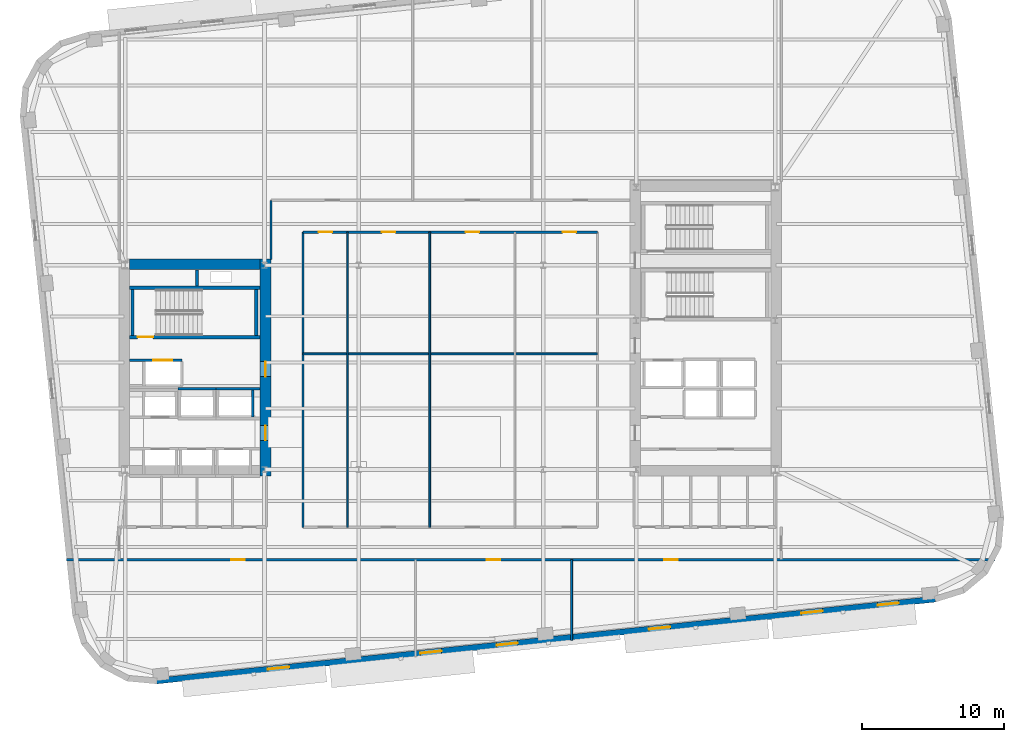
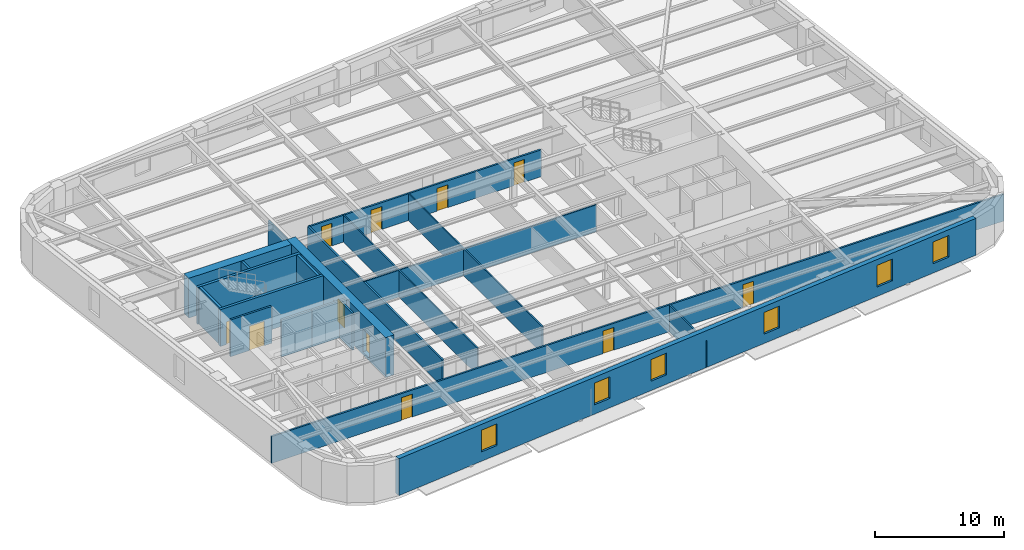
# One storey, part 5 of 12: 20 walls, 11 doors, 6 windows, 17 openings.
"""IFC4 building model written with IfcOpenShell, lengths in metres."""

from ifc_helpers import new_model, si_unit, direction, frame, frame_2d, origin, place, context, subcontext, project, spatial, rectangle, extrude, material, layer, layer_set, type_object, element, fill, save


model = new_model("IFC4")

# Units and contexts
model_context = context("Model", 3, precision=1e-05, world=origin(), true_north=direction((0.0, 1.0)))
body_context = subcontext(model_context, "Body", "Model", "MODEL_VIEW")
ifc_project = project(units=[si_unit("LENGTHUNIT", "METRE"), si_unit("AREAUNIT", "SQUARE_METRE"), si_unit("VOLUMEUNIT", "CUBIC_METRE"), si_unit("PLANEANGLEUNIT", "RADIAN"), si_unit("MASSUNIT", "GRAM", prefix="KILO")], contexts=[model_context])

# Site, building, storey
site_placement = place(None, origin())
site = spatial("IfcSite", under=ifc_project, at=site_placement, CompositionType="ELEMENT")
building_placement = place(site_placement, origin())
building = spatial("IfcBuilding", under=site, at=building_placement, Name="Kolvaren Arena Tower", CompositionType="ELEMENT")
storey_placement = place(building_placement, frame((0.0, 0.0, 138.25)))
storey = spatial("IfcBuildingStorey", under=building, at=storey_placement, Name="L32", CompositionType="ELEMENT", Elevation=138.25)

# Wall, openings, doors
ifc_material_1 = material(Name="Gypsum board acoustic assembly", Category="gypsum")
ifc_layer_1 = layer(ifc_material_1, 0.159912109375)
ifc_layer_set_1 = layer_set([ifc_layer_1], Name="Gypsum board acoustic assembly")
wall_type_1 = type_object("IfcWallType", Name="CORR-160", PredefinedType="PARTITIONING", material=ifc_layer_set_1)
wall_1_placement = place(storey_placement, frame((10.41552734375, 13.10009765625, 0.0), z_axis=(0.0, 0.0, 1.0), x_axis=(1.0, 0.0, 0.0)))
wall_1 = element("IfcWall", 1, at=wall_1_placement, inside=storey, type_object=wall_type_1, Name="Interior Partition Wall (L32)", PredefinedType="PARTITIONING", context=body_context, shape_type="SweptSolid", body=[
    extrude(rectangle(XDim=65.414794921875, YDim=0.159912109375, at=frame_2d((32.70751953125, 0.0))), origin(), (0.0, 0.0, 1.0), 2.5400390625),
])
opening_1_placement = place(wall_1_placement, frame((11.609619140625, 0.0, 0.0)))
opening_1 = element("IfcOpeningElement", 2, at=opening_1_placement, cuts=wall_1, Name="Opening D05", PredefinedType="OPENING", context=body_context, shape_type="SweptSolid", body=[
    extrude(rectangle(XDim=0.949951171875, YDim=2.14990234375, at=frame_2d((0.47509765625, 1.074951171875))), frame((0.0, 0.08984375, 0.0), z_axis=(0.0, -1.0, 0.0), x_axis=(1.0, 0.0, 0.0)), (0.0, 0.0, 1.0), 0.179931640625),
])
opening_2_placement = place(wall_1_placement, frame((29.609619140625, 0.0, 0.0)))
opening_2 = element("IfcOpeningElement", 3, at=opening_2_placement, cuts=wall_1, Name="Opening D05", PredefinedType="OPENING", context=body_context, shape_type="SweptSolid", body=[
    extrude(rectangle(XDim=0.949951171875, YDim=2.14990234375, at=frame_2d((0.47509765625, 1.074951171875))), frame((0.0, 0.08984375, 0.0), z_axis=(0.0, -1.0, 0.0), x_axis=(1.0, 0.0, 0.0)), (0.0, 0.0, 1.0), 0.179931640625),
])
opening_3_placement = place(wall_1_placement, frame((42.109619140625, 0.0, 0.0)))
opening_3 = element("IfcOpeningElement", 4, at=opening_3_placement, cuts=wall_1, Name="Opening D05", PredefinedType="OPENING", context=body_context, shape_type="SweptSolid", body=[
    extrude(rectangle(XDim=0.949951171875, YDim=2.14990234375, at=frame_2d((0.47509765625, 1.074951171875))), frame((0.0, 0.08984375, 0.0), z_axis=(0.0, -1.0, 0.0), x_axis=(1.0, 0.0, 0.0)), (0.0, 0.0, 1.0), 0.179931640625),
])
ifc_material_2 = material(Name="Solid-core oak acoustic office door", Category="wood")
door_type_1 = type_object("IfcDoorType", Name="DOOR-OF-095", OperationType="NOTDEFINED", PredefinedType="DOOR", material=ifc_material_2)
door_1_placement = place(opening_1_placement, origin())
door_1 = element("IfcDoor", 5, at=door_1_placement, inside=storey, type_object=door_type_1, Name="Open Plan Office Door (L32)", OperationType="SINGLE_SWING_RIGHT", OverallHeight=2.14990234375, OverallWidth=0.949951171875, PredefinedType="DOOR", context=body_context, shape_type="SweptSolid", body=[
    extrude(rectangle(XDim=0.949951171875, YDim=2.14990234375, at=frame_2d((0.47509765625, 1.074951171875))), frame((0.0, 0.02490234375, 0.0), z_axis=(0.0, -1.0, 0.0), x_axis=(1.0, 0.0, 0.0)), (0.0, 0.0, 1.0), 0.050048828125),
])
fill(opening_1, door_1)
door_2_placement = place(opening_2_placement, origin())
door_2 = element("IfcDoor", 6, at=door_2_placement, inside=storey, type_object=door_type_1, Name="Tenant Reception Area Door (L32)", OperationType="SINGLE_SWING_LEFT", OverallHeight=2.14990234375, OverallWidth=0.949951171875, PredefinedType="DOOR", context=body_context, shape_type="SweptSolid", body=[
    extrude(rectangle(XDim=0.949951171875, YDim=2.14990234375, at=frame_2d((0.47509765625, 1.074951171875))), frame((0.0, 0.02490234375, 0.0), z_axis=(0.0, -1.0, 0.0), x_axis=(1.0, 0.0, 0.0)), (0.0, 0.0, 1.0), 0.050048828125),
])
fill(opening_2, door_2)
door_3_placement = place(opening_3_placement, origin())
door_3 = element("IfcDoor", 7, at=door_3_placement, inside=storey, type_object=door_type_1, Name="Open Plan Office Door (L32)", OperationType="SINGLE_SWING_RIGHT", OverallHeight=2.14990234375, OverallWidth=0.949951171875, PredefinedType="DOOR", context=body_context, shape_type="SweptSolid", body=[
    extrude(rectangle(XDim=0.949951171875, YDim=2.14990234375, at=frame_2d((0.47509765625, 1.074951171875))), frame((0.0, 0.02490234375, 0.0), z_axis=(0.0, -1.0, 0.0), x_axis=(1.0, 0.0, 0.0)), (0.0, 0.0, 1.0), 0.050048828125),
])
fill(opening_3, door_3)

# Wall
wall_2_placement = place(storey_placement, frame((24.820068359375, 34.25, 0.0), z_axis=(0.0, 0.0, 1.0), x_axis=(0.0, 1.0, 0.0)))
element("IfcWall", 8, at=wall_2_placement, inside=storey, type_object=wall_type_1, Name="Interior Partition Wall (L32)", PredefinedType="PARTITIONING", context=body_context, shape_type="SweptSolid", body=[
    extrude(rectangle(XDim=4.169921875, YDim=0.159912109375, at=frame_2d((2.0849609375, 0.0))), origin(), (0.0, 0.0, 1.0), 2.5400390625),
])

# Wall, openings, doors
wall_3_placement = place(storey_placement, frame((27.080078125, 36.179931640625, 0.0), z_axis=(0.0, 0.0, 1.0), x_axis=(1.0, 0.0, 0.0)))
wall_3 = element("IfcWall", 9, at=wall_3_placement, inside=storey, type_object=wall_type_1, Name="Interior Partition Wall (L32)", PredefinedType="PARTITIONING", context=body_context, shape_type="SweptSolid", body=[
    extrude(rectangle(XDim=20.739990234375, YDim=0.159912109375, at=frame_2d((10.3701171875, 0.0))), origin(), (0.0, 0.0, 1.0), 2.5400390625),
])
opening_4_placement = place(wall_3_placement, frame((1.094970703125, 0.0, 0.0)))
opening_4 = element("IfcOpeningElement", 10, at=opening_4_placement, cuts=wall_3, Name="Opening D05", PredefinedType="OPENING", context=body_context, shape_type="SweptSolid", body=[
    extrude(rectangle(XDim=0.949951171875, YDim=2.14990234375, at=frame_2d((0.47509765625, 1.074951171875))), frame((0.0, 0.08984375, 0.0), z_axis=(0.0, -1.0, 0.0), x_axis=(1.0, 0.0, 0.0)), (0.0, 0.0, 1.0), 0.179931640625),
])
opening_5_placement = place(wall_3_placement, frame((5.544921875, 0.0, 0.0)))
opening_5 = element("IfcOpeningElement", 11, at=opening_5_placement, cuts=wall_3, Name="Opening D05", PredefinedType="OPENING", context=body_context, shape_type="SweptSolid", body=[
    extrude(rectangle(XDim=0.949951171875, YDim=2.14990234375, at=frame_2d((0.47509765625, 1.074951171875))), frame((0.0, 0.08984375, 0.0), z_axis=(0.0, -1.0, 0.0), x_axis=(1.0, 0.0, 0.0)), (0.0, 0.0, 1.0), 0.179931640625),
])
opening_6_placement = place(wall_3_placement, frame((11.445068359375, 0.0, 0.0)))
opening_6 = element("IfcOpeningElement", 12, at=opening_6_placement, cuts=wall_3, Name="Opening D05", PredefinedType="OPENING", context=body_context, shape_type="SweptSolid", body=[
    extrude(rectangle(XDim=0.949951171875, YDim=2.14990234375, at=frame_2d((0.47509765625, 1.074951171875))), frame((0.0, 0.08984375, 0.0), z_axis=(0.0, -1.0, 0.0), x_axis=(1.0, 0.0, 0.0)), (0.0, 0.0, 1.0), 0.179931640625),
])
opening_7_placement = place(wall_3_placement, frame((18.294921875, 0.0, 0.0)))
opening_7 = element("IfcOpeningElement", 13, at=opening_7_placement, cuts=wall_3, Name="Opening D05", PredefinedType="OPENING", context=body_context, shape_type="SweptSolid", body=[
    extrude(rectangle(XDim=0.949951171875, YDim=2.14990234375, at=frame_2d((0.47509765625, 1.074951171875))), frame((0.0, 0.08984375, 0.0), z_axis=(0.0, -1.0, 0.0), x_axis=(1.0, 0.0, 0.0)), (0.0, 0.0, 1.0), 0.179931640625),
])
door_4_placement = place(opening_4_placement, origin())
door_4 = element("IfcDoor", 14, at=door_4_placement, inside=storey, type_object=door_type_1, Name="Client Lounge Door (L32)", OperationType="SINGLE_SWING_RIGHT", OverallHeight=2.14990234375, OverallWidth=0.949951171875, PredefinedType="DOOR", context=body_context, shape_type="SweptSolid", body=[
    extrude(rectangle(XDim=0.949951171875, YDim=2.14990234375, at=frame_2d((0.47509765625, 1.074951171875))), frame((0.0, 0.02490234375, 0.0), z_axis=(0.0, -1.0, 0.0), x_axis=(1.0, 0.0, 0.0)), (0.0, 0.0, 1.0), 0.050048828125),
])
fill(opening_4, door_4)
door_5_placement = place(opening_5_placement, origin())
door_5 = element("IfcDoor", 15, at=door_5_placement, inside=storey, type_object=door_type_1, Name="Client Lounge Door (L32)", OperationType="SINGLE_SWING_RIGHT", OverallHeight=2.14990234375, OverallWidth=0.949951171875, PredefinedType="DOOR", context=body_context, shape_type="SweptSolid", body=[
    extrude(rectangle(XDim=0.949951171875, YDim=2.14990234375, at=frame_2d((0.47509765625, 1.074951171875))), frame((0.0, 0.02490234375, 0.0), z_axis=(0.0, -1.0, 0.0), x_axis=(1.0, 0.0, 0.0)), (0.0, 0.0, 1.0), 0.050048828125),
])
fill(opening_5, door_5)
door_6_placement = place(opening_6_placement, origin())
door_6 = element("IfcDoor", 16, at=door_6_placement, inside=storey, type_object=door_type_1, Name="Boardroom Door (L32)", OperationType="SINGLE_SWING_RIGHT", OverallHeight=2.14990234375, OverallWidth=0.949951171875, PredefinedType="DOOR", context=body_context, shape_type="SweptSolid", body=[
    extrude(rectangle(XDim=0.949951171875, YDim=2.14990234375, at=frame_2d((0.47509765625, 1.074951171875))), frame((0.0, 0.02490234375, 0.0), z_axis=(0.0, -1.0, 0.0), x_axis=(1.0, 0.0, 0.0)), (0.0, 0.0, 1.0), 0.050048828125),
])
fill(opening_6, door_6)
door_7_placement = place(opening_7_placement, origin())
door_7 = element("IfcDoor", 17, at=door_7_placement, inside=storey, type_object=door_type_1, Name="Client Lounge Door (L32)", OperationType="SINGLE_SWING_RIGHT", OverallHeight=2.14990234375, OverallWidth=0.949951171875, PredefinedType="DOOR", context=body_context, shape_type="SweptSolid", body=[
    extrude(rectangle(XDim=0.949951171875, YDim=2.14990234375, at=frame_2d((0.47509765625, 1.074951171875))), frame((0.0, 0.02490234375, 0.0), z_axis=(0.0, -1.0, 0.0), x_axis=(1.0, 0.0, 0.0)), (0.0, 0.0, 1.0), 0.050048828125),
])
fill(opening_7, door_7)

# Wall
wall_4_placement = place(storey_placement, frame((27.080078125, 15.3798828125, 0.0), z_axis=(0.0, 0.0, 1.0), x_axis=(0.0, 1.0, 0.0)))
element("IfcWall", 18, at=wall_4_placement, inside=storey, type_object=wall_type_1, Name="Interior Partition Wall (L32)", PredefinedType="PARTITIONING", context=body_context, shape_type="SweptSolid", body=[
    extrude(rectangle(XDim=20.800048828125, YDim=0.159912109375, at=frame_2d((10.39990234375, 0.0))), origin(), (0.0, 0.0, 1.0), 2.5400390625),
])

# Wall, openings, doors
ifc_material_3 = material(Name="Concrete 70 MPa", Category="concrete")
ifc_layer_2 = layer(ifc_material_3, 0.75)
ifc_layer_set_2 = layer_set([ifc_layer_2], Name="Concrete 70 MPa")
wall_type_2 = type_object("IfcWallType", Name="CWALL-750", PredefinedType="SHEAR", material=ifc_layer_set_2)
wall_5_placement = place(storey_placement, frame((24.425048828125, 19.0, -0.27001953125), z_axis=(0.0, 0.0, 1.0), x_axis=(0.0, 1.0, 0.0)))
wall_5 = element("IfcWall", 19, at=wall_5_placement, inside=storey, type_object=wall_type_2, Name="Core Shear Wall WC-EAST (L32)", PredefinedType="SHEAR", context=body_context, shape_type="SweptSolid", body=[
    extrude(rectangle(XDim=15.300048828125, YDim=0.75, at=frame_2d((7.64990234375, 0.0))), origin(), (0.0, 0.0, 1.0), 3.75),
])
opening_8_placement = place(wall_5_placement, frame((2.5, 0.0, 0.27001953125)))
opening_8 = element("IfcOpeningElement", 20, at=opening_8_placement, cuts=wall_5, Name="Opening D04", PredefinedType="OPENING", context=body_context, shape_type="SweptSolid", body=[
    extrude(rectangle(XDim=1.050048828125, YDim=2.14990234375, at=frame_2d((0.52490234375, 1.074951171875))), frame((0.0, 0.385009765625, 0.0), z_axis=(0.0, -1.0, 0.0), x_axis=(1.0, 0.0, 0.0)), (0.0, 0.0, 1.0), 0.77001953125),
])
opening_9_placement = place(wall_5_placement, frame((7.0, 0.0, 0.27001953125)))
opening_9 = element("IfcOpeningElement", 21, at=opening_9_placement, cuts=wall_5, Name="Opening D04", PredefinedType="OPENING", context=body_context, shape_type="SweptSolid", body=[
    extrude(rectangle(XDim=1.050048828125, YDim=2.14990234375, at=frame_2d((0.52490234375, 1.074951171875))), frame((0.0, 0.385009765625, 0.0), z_axis=(0.0, -1.0, 0.0), x_axis=(1.0, 0.0, 0.0)), (0.0, 0.0, 1.0), 0.77001953125),
])
ifc_material_4 = material(Name="Fire-rated steel lobby door", Category="steel")
door_type_2 = type_object("IfcDoorType", Name="DOOR-FF-105", OperationType="NOTDEFINED", PredefinedType="DOOR", material=ifc_material_4)
door_8_placement = place(opening_8_placement, origin())
door_8 = element("IfcDoor", 22, at=door_8_placement, inside=storey, type_object=door_type_2, Name="West Lift Lobby Fire Door (L32)", OperationType="SINGLE_SWING_LEFT", OverallHeight=2.14990234375, OverallWidth=1.050048828125, PredefinedType="DOOR", context=body_context, shape_type="SweptSolid", body=[
    extrude(rectangle(XDim=1.050048828125, YDim=2.14990234375, at=frame_2d((0.52490234375, 1.074951171875))), frame((0.0, 0.02490234375, 0.0), z_axis=(0.0, -1.0, 0.0), x_axis=(1.0, 0.0, 0.0)), (0.0, 0.0, 1.0), 0.050048828125),
])
fill(opening_8, door_8)
door_9_placement = place(opening_9_placement, origin())
door_9 = element("IfcDoor", 23, at=door_9_placement, inside=storey, type_object=door_type_2, Name="West Firefighter Vestibule Door (L32)", OperationType="SINGLE_SWING_RIGHT", OverallHeight=2.14990234375, OverallWidth=1.050048828125, PredefinedType="DOOR", context=body_context, shape_type="SweptSolid", body=[
    extrude(rectangle(XDim=1.050048828125, YDim=2.14990234375, at=frame_2d((0.52490234375, 1.074951171875))), frame((0.0, 0.02490234375, 0.0), z_axis=(0.0, -1.0, 0.0), x_axis=(1.0, 0.0, 0.0)), (0.0, 0.0, 1.0), 0.050048828125),
])
fill(opening_9, door_9)

# Wall
wall_6_placement = place(storey_placement, frame((14.85009765625, 33.925048828125, -0.27001953125), z_axis=(0.0, 0.0, 1.0), x_axis=(1.0, 0.0, 0.0)))
element("IfcWall", 24, at=wall_6_placement, inside=storey, type_object=wall_type_2, Name="Core Shear Wall WC-NORTH (L32)", PredefinedType="SHEAR", context=body_context, shape_type="SweptSolid", body=[
    extrude(rectangle(XDim=9.199951171875, YDim=0.75, at=frame_2d((4.60009765625, 0.0))), origin(), (0.0, 0.0, 1.0), 3.75),
])

# Wall, openings, windows
ifc_material_5 = material(Name="Precast concrete C50/60", Category="concrete")
ifc_layer_3 = layer(ifc_material_5, 0.419921875)
ifc_layer_set_3 = layer_set([ifc_layer_3], Name="Precast concrete C50/60")
wall_type_3 = type_object("IfcWallType", Name="EXT-PIER1", PredefinedType="SOLIDWALL", material=ifc_layer_set_3)
wall_7_placement = place(storey_placement, frame((71.641357421875, 10.3203125, 0.0), z_axis=(0.0, 0.0, 1.0), x_axis=(-0.994521775062, -0.104529607897, 0.0)))
wall_7 = element("IfcWall", 25, at=wall_7_placement, inside=storey, type_object=wall_type_3, Name="Exterior Precast Masonry-Frame Wall (L32)", PredefinedType="SOLIDWALL", context=body_context, shape_type="SweptSolid", body=[
    extrude(rectangle(XDim=55.199951171875, YDim=0.419921875, at=frame_2d((27.60009765625, 0.0))), origin(), (0.0, 0.0, 1.0), 3.47998046875),
])
opening_10_placement = place(wall_7_placement, frame((2.60009765625, 0.0, 0.8798828125)))
opening_10 = element("IfcOpeningElement", 26, at=opening_10_placement, cuts=wall_7, Name="Opening W03", PredefinedType="OPENING", context=body_context, shape_type="SweptSolid", body=[
    extrude(rectangle(XDim=1.5, YDim=2.050048828125, at=frame_2d((0.75, 1.02490234375))), frame((0.0, 0.219970703125, 0.0), z_axis=(0.0, -1.0, 0.0), x_axis=(1.0, 0.0, 0.0)), (0.0, 0.0, 1.0), 0.43994140625),
])
opening_11_placement = place(wall_7_placement, frame((8.0, 0.0, 0.8798828125)))
opening_11 = element("IfcOpeningElement", 27, at=opening_11_placement, cuts=wall_7, Name="Opening W03", PredefinedType="OPENING", context=body_context, shape_type="SweptSolid", body=[
    extrude(rectangle(XDim=1.5, YDim=2.050048828125, at=frame_2d((0.75, 1.02490234375))), frame((0.0, 0.219970703125, 0.0), z_axis=(0.0, -1.0, 0.0), x_axis=(1.0, 0.0, 0.0)), (0.0, 0.0, 1.0), 0.43994140625),
])
opening_12_placement = place(wall_7_placement, frame((18.800048828125, 0.0, 0.8798828125)))
opening_12 = element("IfcOpeningElement", 28, at=opening_12_placement, cuts=wall_7, Name="Opening W03", PredefinedType="OPENING", context=body_context, shape_type="SweptSolid", body=[
    extrude(rectangle(XDim=1.5, YDim=2.050048828125, at=frame_2d((0.75, 1.02490234375))), frame((0.0, 0.219970703125, 0.0), z_axis=(0.0, -1.0, 0.0), x_axis=(1.0, 0.0, 0.0)), (0.0, 0.0, 1.0), 0.43994140625),
])
opening_13_placement = place(wall_7_placement, frame((29.60009765625, 0.0, 0.8798828125)))
opening_13 = element("IfcOpeningElement", 29, at=opening_13_placement, cuts=wall_7, Name="Opening W03", PredefinedType="OPENING", context=body_context, shape_type="SweptSolid", body=[
    extrude(rectangle(XDim=1.5, YDim=2.050048828125, at=frame_2d((0.75, 1.02490234375))), frame((0.0, 0.219970703125, 0.0), z_axis=(0.0, -1.0, 0.0), x_axis=(1.0, 0.0, 0.0)), (0.0, 0.0, 1.0), 0.43994140625),
])
opening_14_placement = place(wall_7_placement, frame((35.0, 0.0, 0.8798828125)))
opening_14 = element("IfcOpeningElement", 30, at=opening_14_placement, cuts=wall_7, Name="Opening W03", PredefinedType="OPENING", context=body_context, shape_type="SweptSolid", body=[
    extrude(rectangle(XDim=1.5, YDim=2.050048828125, at=frame_2d((0.75, 1.02490234375))), frame((0.0, 0.219970703125, 0.0), z_axis=(0.0, -1.0, 0.0), x_axis=(1.0, 0.0, 0.0)), (0.0, 0.0, 1.0), 0.43994140625),
])
opening_15_placement = place(wall_7_placement, frame((45.800048828125, 0.0, 0.8798828125)))
opening_15 = element("IfcOpeningElement", 31, at=opening_15_placement, cuts=wall_7, Name="Opening W03", PredefinedType="OPENING", context=body_context, shape_type="SweptSolid", body=[
    extrude(rectangle(XDim=1.5, YDim=2.050048828125, at=frame_2d((0.75, 1.02490234375))), frame((0.0, 0.219970703125, 0.0), z_axis=(0.0, -1.0, 0.0), x_axis=(1.0, 0.0, 0.0)), (0.0, 0.0, 1.0), 0.43994140625),
])
ifc_material_6 = material(Name="Triple-glazed low-E aluminium window", Category="aluminium")
window_type = type_object("IfcWindowType", Name="WIN-OFF-C", PartitioningType="SINGLE_PANEL", PredefinedType="WINDOW", material=ifc_material_6)
window_1_placement = place(opening_10_placement, origin())
window_1 = element("IfcWindow", 32, at=window_1_placement, inside=storey, type_object=window_type, Name="Punched Precast-Pier Window (L32)", OverallHeight=2.050048828125, OverallWidth=1.5, PartitioningType="SINGLE_PANEL", PredefinedType="WINDOW", context=body_context, shape_type="SweptSolid", body=[
    extrude(rectangle(XDim=1.5, YDim=2.050048828125, at=frame_2d((0.75, 1.02490234375))), frame((0.0, 0.030029296875, 0.0), z_axis=(0.0, -1.0, 0.0), x_axis=(1.0, 0.0, 0.0)), (0.0, 0.0, 1.0), 0.06005859375),
])
fill(opening_10, window_1)
window_2_placement = place(opening_11_placement, origin())
window_2 = element("IfcWindow", 33, at=window_2_placement, inside=storey, type_object=window_type, Name="Punched Precast-Pier Window (L32)", OverallHeight=2.050048828125, OverallWidth=1.5, PartitioningType="SINGLE_PANEL", PredefinedType="WINDOW", context=body_context, shape_type="SweptSolid", body=[
    extrude(rectangle(XDim=1.5, YDim=2.050048828125, at=frame_2d((0.75, 1.02490234375))), frame((0.0, 0.030029296875, 0.0), z_axis=(0.0, -1.0, 0.0), x_axis=(1.0, 0.0, 0.0)), (0.0, 0.0, 1.0), 0.06005859375),
])
fill(opening_11, window_2)
window_3_placement = place(opening_12_placement, origin())
window_3 = element("IfcWindow", 34, at=window_3_placement, inside=storey, type_object=window_type, Name="Punched Precast-Pier Window (L32)", OverallHeight=2.050048828125, OverallWidth=1.5, PartitioningType="SINGLE_PANEL", PredefinedType="WINDOW", context=body_context, shape_type="SweptSolid", body=[
    extrude(rectangle(XDim=1.5, YDim=2.050048828125, at=frame_2d((0.75, 1.02490234375))), frame((0.0, 0.030029296875, 0.0), z_axis=(0.0, -1.0, 0.0), x_axis=(1.0, 0.0, 0.0)), (0.0, 0.0, 1.0), 0.06005859375),
])
fill(opening_12, window_3)
window_4_placement = place(opening_13_placement, origin())
window_4 = element("IfcWindow", 35, at=window_4_placement, inside=storey, type_object=window_type, Name="Punched Precast-Pier Window (L32)", OverallHeight=2.050048828125, OverallWidth=1.5, PartitioningType="SINGLE_PANEL", PredefinedType="WINDOW", context=body_context, shape_type="SweptSolid", body=[
    extrude(rectangle(XDim=1.5, YDim=2.050048828125, at=frame_2d((0.75, 1.02490234375))), frame((0.0, 0.030029296875, 0.0), z_axis=(0.0, -1.0, 0.0), x_axis=(1.0, 0.0, 0.0)), (0.0, 0.0, 1.0), 0.06005859375),
])
fill(opening_13, window_4)
window_5_placement = place(opening_14_placement, origin())
window_5 = element("IfcWindow", 36, at=window_5_placement, inside=storey, type_object=window_type, Name="Punched Precast-Pier Window (L32)", OverallHeight=2.050048828125, OverallWidth=1.5, PartitioningType="SINGLE_PANEL", PredefinedType="WINDOW", context=body_context, shape_type="SweptSolid", body=[
    extrude(rectangle(XDim=1.5, YDim=2.050048828125, at=frame_2d((0.75, 1.02490234375))), frame((0.0, 0.030029296875, 0.0), z_axis=(0.0, -1.0, 0.0), x_axis=(1.0, 0.0, 0.0)), (0.0, 0.0, 1.0), 0.06005859375),
])
fill(opening_14, window_5)
window_6_placement = place(opening_15_placement, origin())
window_6 = element("IfcWindow", 37, at=window_6_placement, inside=storey, type_object=window_type, Name="Punched Precast-Pier Window (L32)", OverallHeight=2.050048828125, OverallWidth=1.5, PartitioningType="SINGLE_PANEL", PredefinedType="WINDOW", context=body_context, shape_type="SweptSolid", body=[
    extrude(rectangle(XDim=1.5, YDim=2.050048828125, at=frame_2d((0.75, 1.02490234375))), frame((0.0, 0.030029296875, 0.0), z_axis=(0.0, -1.0, 0.0), x_axis=(1.0, 0.0, 0.0)), (0.0, 0.0, 1.0), 0.06005859375),
])
fill(opening_15, window_6)

# Walls
ifc_material_7 = material(Name="Gypsum board partition assembly", Category="gypsum")
ifc_layer_4 = layer(ifc_material_7, 0.114990234375)
ifc_layer_set_4 = layer_set([ifc_layer_4], Name="Gypsum board partition assembly")
wall_type_4 = type_object("IfcWallType", Name="PART-115", PredefinedType="PARTITIONING", material=ifc_layer_set_4)
for number, where, z_axis, x_axis, name in (
    (38, (30.199951171875, 15.3798828125, 0.0), (0.0, 0.0, 1.0), (0.0, 1.0, 0.0), "Interior Partition Wall (L32)"),
    (39, (36.0, 15.3798828125, 0.0), (0.0, 0.0, 1.0), (0.0, 1.0, 0.0), "Interior Partition Wall (L32)"),
):
    element("IfcWall", number, at=place(storey_placement, frame(where, z_axis=z_axis, x_axis=x_axis)), inside=storey, type_object=wall_type_4, Name=name, PredefinedType="PARTITIONING", context=body_context, shape_type="SweptSolid", body=[
        extrude(rectangle(XDim=20.800048828125, YDim=0.114990234375, at=frame_2d((10.39990234375, 0.0))), origin(), (0.0, 0.0, 1.0), 2.5400390625),
    ])
ifc_layer_5 = layer(ifc_material_7, 0.135009765625)
ifc_layer_set_5 = layer_set([ifc_layer_5], Name="Gypsum board partition assembly")
wall_type_5 = type_object("IfcWallType", Name="PART-135", PredefinedType="PARTITIONING", material=ifc_layer_set_5)
wall_8_placement = place(storey_placement, frame((46.0, 7.414306640625, 0.0), z_axis=(0.0, 0.0, 1.0), x_axis=(0.0, 1.0, 0.0)))
element("IfcWall", 40, at=wall_8_placement, inside=storey, type_object=wall_type_5, Name="Interior Partition Wall (L32)", PredefinedType="PARTITIONING", context=body_context, shape_type="SweptSolid", body=[
    extrude(rectangle(XDim=5.685791015625, YDim=0.135009765625, at=frame_2d((2.8427734375, 0.0))), origin(), (0.0, 0.0, 1.0), 2.5400390625),
])
wall_9_placement = place(storey_placement, frame((27.080078125, 27.60009765625, 0.0), z_axis=(0.0, 0.0, 1.0), x_axis=(1.0, 0.0, 0.0)))
element("IfcWall", 41, at=wall_9_placement, inside=storey, type_object=wall_type_5, Name="Interior Partition Wall (L32)", PredefinedType="PARTITIONING", context=body_context, shape_type="SweptSolid", body=[
    extrude(rectangle(XDim=20.739990234375, YDim=0.135009765625, at=frame_2d((10.3701171875, 0.0))), origin(), (0.0, 0.0, 1.0), 2.5400390625),
])

# Wall, opening, door
ifc_material_8 = material(Name="Concrete 45 MPa", Category="concrete")
ifc_layer_6 = layer(ifc_material_8, 0.25)
ifc_layer_set_6 = layer_set([ifc_layer_6], Name="Concrete 45 MPa")
wall_type_6 = type_object("IfcWallType", Name="SHAFT-250", PredefinedType="SOLIDWALL", material=ifc_layer_set_6)
wall_10_placement = place(storey_placement, frame((24.050048828125, 28.780029296875, 0.0), z_axis=(0.0, 0.0, 1.0), x_axis=(-1.0, 0.0, 0.0)))
wall_10 = element("IfcWall", 42, at=wall_10_placement, inside=storey, type_object=wall_type_6, Name="Core Shaft Wall (L32)", PredefinedType="SOLIDWALL", context=body_context, shape_type="SweptSolid", body=[
    extrude(rectangle(XDim=9.199951171875, YDim=0.239990234375, at=frame_2d((4.60009765625, 0.0))), origin(), (0.0, 0.0, 1.0), 3.47998046875),
])
opening_16_placement = place(wall_10_placement, frame((7.530029296875, 0.0, 0.0)))
opening_16 = element("IfcOpeningElement", 43, at=opening_16_placement, cuts=wall_10, Name="Opening D03", PredefinedType="OPENING", context=body_context, shape_type="SweptSolid", body=[
    extrude(rectangle(XDim=1.10009765625, YDim=2.14990234375, at=frame_2d((0.550048828125, 1.074951171875))), frame((0.0, 0.1298828125, 0.0), z_axis=(0.0, -1.0, 0.0), x_axis=(1.0, 0.0, 0.0)), (0.0, 0.0, 1.0), 0.260009765625),
])
ifc_material_9 = material(Name="Fire-rated steel exit stair door", Category="steel")
door_type_3 = type_object("IfcDoorType", Name="DOOR-ST-110", OperationType="NOTDEFINED", PredefinedType="DOOR", material=ifc_material_9)
door_10_placement = place(opening_16_placement, origin())
door_10 = element("IfcDoor", 44, at=door_10_placement, inside=storey, type_object=door_type_3, Name="Stair ST-W1 Fire Door (L32)", OperationType="SINGLE_SWING_RIGHT", OverallHeight=2.14990234375, OverallWidth=1.10009765625, PredefinedType="DOOR", context=body_context, shape_type="SweptSolid", body=[
    extrude(rectangle(XDim=1.10009765625, YDim=2.14990234375, at=frame_2d((0.550048828125, 1.074951171875))), frame((0.0, 0.02490234375, 0.0), z_axis=(0.0, -1.0, 0.0), x_axis=(1.0, 0.0, 0.0)), (0.0, 0.0, 1.0), 0.050048828125),
])
fill(opening_16, door_10)

# Walls
wall_11_placement = place(storey_placement, frame((14.85009765625, 32.25, 0.0), z_axis=(0.0, 0.0, 1.0), x_axis=(1.0, 0.0, 0.0)))
element("IfcWall", 45, at=wall_11_placement, inside=storey, type_object=wall_type_6, Name="Core Shaft Wall (L32)", PredefinedType="SOLIDWALL", context=body_context, shape_type="SweptSolid", body=[
    extrude(rectangle(XDim=9.199951171875, YDim=0.239990234375, at=frame_2d((4.60009765625, 0.0))), origin(), (0.0, 0.0, 1.0), 3.47998046875),
])
for number, where, z_axis, x_axis, name in (
    (46, (15.06005859375, 28.89990234375, 0.0), (0.0, 0.0, 1.0), (0.0, 1.0, 0.0), "Core Shaft Wall (L32)"),
    (47, (23.780029296875, 28.89990234375, 0.0), (0.0, 0.0, 1.0), (0.0, 1.0, 0.0), "Core Shaft Wall (L32)"),
):
    element("IfcWall", number, at=place(storey_placement, frame(where, z_axis=z_axis, x_axis=x_axis)), inside=storey, type_object=wall_type_6, Name=name, PredefinedType="SOLIDWALL", context=body_context, shape_type="SweptSolid", body=[
        extrude(rectangle(XDim=3.22998046875, YDim=0.239990234375, at=frame_2d((1.614990234375, 0.0))), origin(), (0.0, 0.0, 1.0), 3.47998046875),
    ])
wall_12_placement = place(storey_placement, frame((19.60009765625, 32.3701171875, 0.0), z_axis=(0.0, 0.0, 1.0), x_axis=(0.0, 1.0, 0.0)))
element("IfcWall", 48, at=wall_12_placement, inside=storey, type_object=wall_type_6, Name="Core Shaft Wall (L32)", PredefinedType="SOLIDWALL", context=body_context, shape_type="SweptSolid", body=[
    extrude(rectangle(XDim=1.1298828125, YDim=0.199951171875, at=frame_2d((0.56494140625, 0.0))), origin(), (0.0, 0.0, 1.0), 3.47998046875),
])
wall_13_placement = place(storey_placement, frame((18.262451171875, 25.155029296875, 0.0), z_axis=(0.0, 0.0, 1.0), x_axis=(1.0, 0.0, 0.0)))
element("IfcWall", 49, at=wall_13_placement, inside=storey, type_object=wall_type_6, Name="Core Shaft Wall (L32)", PredefinedType="SOLIDWALL", context=body_context, shape_type="SweptSolid", body=[
    extrude(rectangle(XDim=2.6875, YDim=0.179931640625, at=frame_2d((1.34375, 0.0))), origin(), (0.0, 0.0, 1.0), 3.47998046875),
])
wall_14_placement = place(storey_placement, frame((20.949951171875, 25.155029296875, 0.0), z_axis=(0.0, 0.0, 1.0), x_axis=(1.0, 0.0, 0.0)))
element("IfcWall", 50, at=wall_14_placement, inside=storey, type_object=wall_type_6, Name="Core Shaft Wall (L32)", PredefinedType="SOLIDWALL", context=body_context, shape_type="SweptSolid", body=[
    extrude(rectangle(XDim=3.10009765625, YDim=0.179931640625, at=frame_2d((1.550048828125, 0.0))), origin(), (0.0, 0.0, 1.0), 3.47998046875),
])
wall_15_placement = place(storey_placement, frame((23.530029296875, 23.135009765625, 0.0), z_axis=(0.0, 0.0, 1.0), x_axis=(0.0, 1.0, 0.0)))
element("IfcWall", 51, at=wall_15_placement, inside=storey, type_object=wall_type_6, Name="Core Shaft Wall (L32)", PredefinedType="SOLIDWALL", context=body_context, shape_type="SweptSolid", body=[
    extrude(rectangle(XDim=1.929931640625, YDim=0.179931640625, at=frame_2d((0.96484375, 0.0))), origin(), (0.0, 0.0, 1.0), 3.47998046875),
])

# Wall, opening, door
wall_16_placement = place(storey_placement, frame((14.85009765625, 27.155029296875, 0.0), z_axis=(0.0, 0.0, 1.0), x_axis=(1.0, 0.0, 0.0)))
wall_16 = element("IfcWall", 52, at=wall_16_placement, inside=storey, type_object=wall_type_6, Name="Core Shaft Wall (L32)", PredefinedType="SOLIDWALL", context=body_context, shape_type="SweptSolid", body=[
    extrude(rectangle(XDim=3.679931640625, YDim=0.179931640625, at=frame_2d((1.83984375, 0.0))), origin(), (0.0, 0.0, 1.0), 3.47998046875),
])
opening_17_placement = place(wall_16_placement, frame((1.675048828125, 0.0, 0.0)))
opening_17 = element("IfcOpeningElement", 53, at=opening_17_placement, cuts=wall_16, Name="Opening LD2", PredefinedType="OPENING", context=body_context, shape_type="SweptSolid", body=[
    extrude(rectangle(XDim=1.35009765625, YDim=2.300048828125, at=frame_2d((0.675048828125, 1.14990234375))), frame((0.0, 0.099853515625, 0.0), z_axis=(0.0, -1.0, 0.0), x_axis=(1.0, 0.0, 0.0)), (0.0, 0.0, 1.0), 0.199951171875),
])
ifc_material_10 = material(Name="Stainless steel firefighter lift landing door", Category="steel")
door_type_4 = type_object("IfcDoorType", Name="DOOR-LD-135", OperationType="DOUBLE_DOOR_SLIDING", PredefinedType="DOOR", material=ifc_material_10)
door_11_placement = place(opening_17_placement, origin())
door_11 = element("IfcDoor", 54, at=door_11_placement, inside=storey, type_object=door_type_4, Name="Firefighter Lift FF-W1 Landing Door (L32)", OperationType="DOUBLE_DOOR_SLIDING", OverallHeight=2.300048828125, OverallWidth=1.35009765625, PredefinedType="DOOR", context=body_context, shape_type="SweptSolid", body=[
    extrude(rectangle(XDim=1.35009765625, YDim=2.300048828125, at=frame_2d((0.675048828125, 1.14990234375))), frame((0.0, 0.02490234375, 0.0), z_axis=(0.0, -1.0, 0.0), x_axis=(1.0, 0.0, 0.0)), (0.0, 0.0, 1.0), 0.050048828125),
])
fill(opening_17, door_11)

save(model, "model.ifc")
